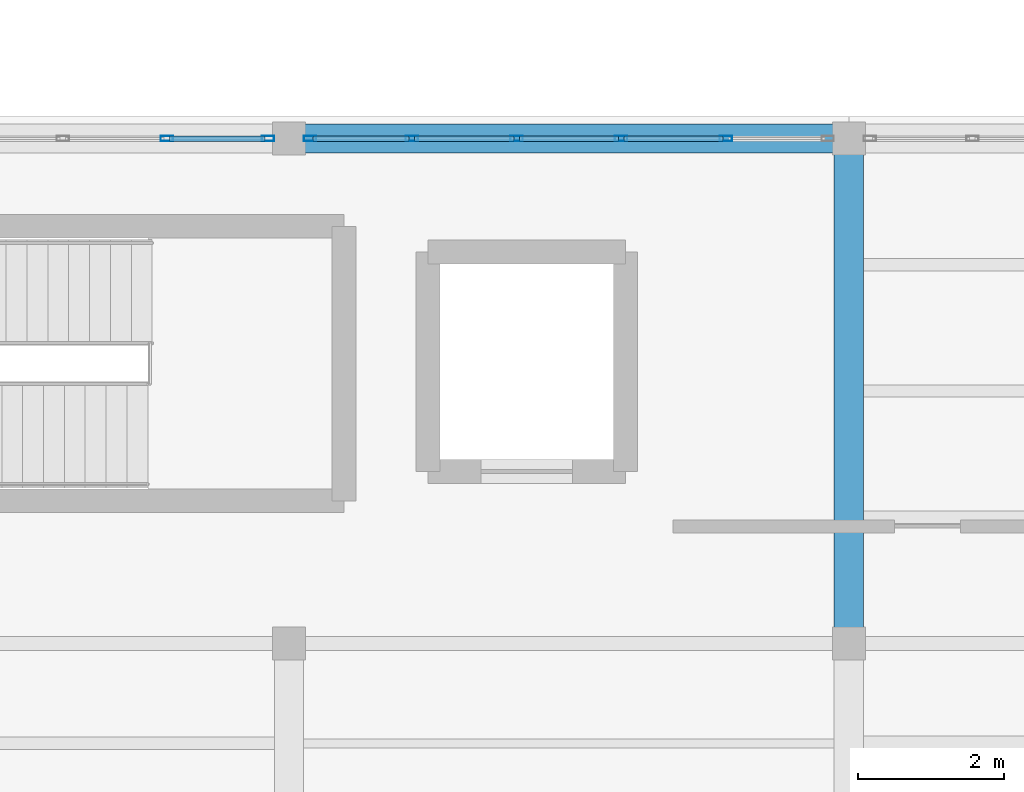
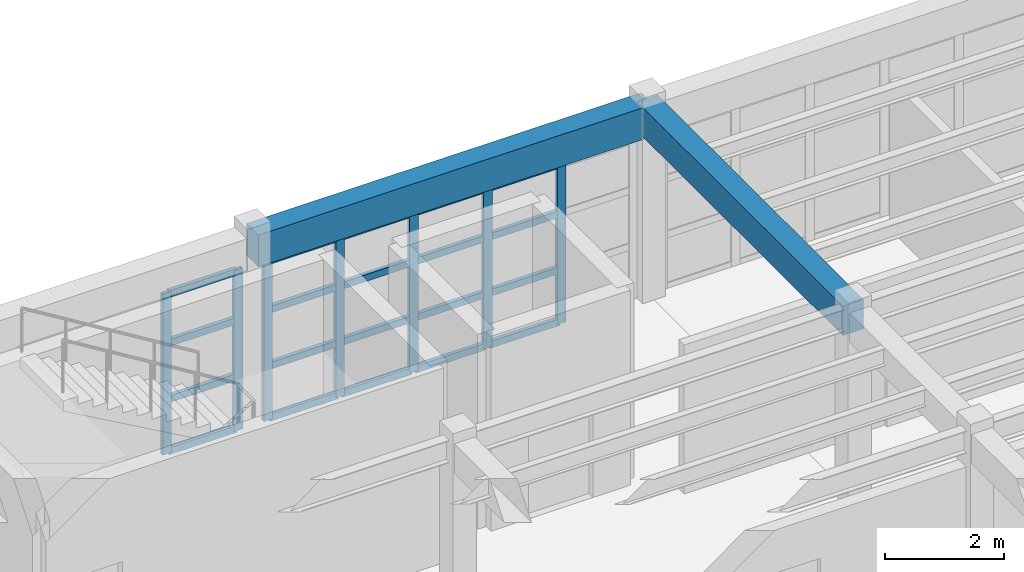
# One storey, part 12 of 66: 27 members, 2 beams, 2 elements without a shape of their own.
"""IFC4 building model written with IfcOpenShell, lengths in metres."""

import ifcopenshell
import ifcopenshell.guid

model = None  # the IFC model being written
_history = None  # IfcOwnerHistory: only IFC2X3 demands one
_inside = {}  # id of a spatial element -> (the spatial element, [elements in it])
_under = {}  # id of a project, library or spatial element -> (it, [spatial elements below it])
_declared = {}  # id of a project -> (the project, [libraries it declares])
_typed = {}  # id of a type object -> (the type object, [elements of that type])
_made_of = {}  # id of a material, layer set ... -> (it, [elements and type objects made of it])


def new_model(schema):
    """Start an empty IFC model of exactly this schema.

    Asked for "IFC4X3", IfcOpenShell would pick the latest addendum, in which some entities
    have other attributes; the version numbers below select the first issue.
    IFC2X3 requires an IfcOwnerHistory on every rooted entity: one is made here for all.
    """
    global model, _history
    if schema == "IFC4X3":
        model = ifcopenshell.file(schema_version=(4, 3, 0, 0))
    else:
        model = ifcopenshell.file(schema=schema)
    _inside.clear()
    _under.clear()
    _declared.clear()
    _typed.clear()
    _made_of.clear()
    _history = None
    if model.schema == "IFC2X3":
        org = make("IfcOrganization", Name="unknown")
        user = make(
            "IfcPersonAndOrganization",
            ThePerson=make("IfcPerson", FamilyName="unknown"),
            TheOrganization=org,
        )
        app = make(
            "IfcApplication",
            ApplicationDeveloper=org,
            Version="unknown",
            ApplicationFullName="unknown",
            ApplicationIdentifier="unknown",
        )
        _history = make(
            "IfcOwnerHistory",
            OwningUser=user,
            OwningApplication=app,
            ChangeAction="ADDED",
            CreationDate=0,
        )
    return model


def make(cls, **values):
    """One entity of the class cls with the attributes given. An attribute that is None is left unset."""
    return model.create_entity(
        cls, **{name: value for name, value in values.items() if value is not None}
    )


def rooted(cls, **values):
    """An entity with a GlobalId (a new one), such as an element, a storey or a relation."""
    return make(cls, GlobalId=ifcopenshell.guid.new(), OwnerHistory=_history, **values)


def si_unit(unit_type, name, prefix=None):
    """IfcSIUnit, for example si_unit("LENGTHUNIT", "METRE", prefix="MILLI")."""
    return make("IfcSIUnit", UnitType=unit_type, Prefix=prefix, Name=name)


def assignment(units):
    """IfcUnitAssignment: the units of a project."""
    return None if units is None else make("IfcUnitAssignment", Units=units)


def point(xyz):
    """IfcCartesianPoint."""
    return None if xyz is None else make("IfcCartesianPoint", Coordinates=xyz)


def direction(xyz):
    """IfcDirection."""
    return None if xyz is None else make("IfcDirection", DirectionRatios=xyz)


def frame(location, z_axis=None, x_axis=None):
    """IfcAxis2Placement3D, a coordinate frame: its origin and axes. An axis left out is left unset."""
    return make(
        "IfcAxis2Placement3D",
        Location=point(location),
        Axis=direction(z_axis),
        RefDirection=direction(x_axis),
    )


def frame_2d(location, x_axis=None):
    """IfcAxis2Placement2D, a coordinate frame in the plane: its origin and x axis."""
    return make(
        "IfcAxis2Placement2D", Location=point(location), RefDirection=direction(x_axis)
    )


def origin():
    """The frame at (0, 0, 0) with its axes left unset."""
    return frame((0.0, 0.0, 0.0))


def origin_2d():
    """The frame at (0, 0) in the plane with its x axis left unset."""
    return frame_2d((0.0, 0.0))


def place(relative_to, where):
    """IfcLocalPlacement: puts the frame where relative to a parent placement (None: the world)."""
    return make(
        "IfcLocalPlacement", PlacementRelTo=relative_to, RelativePlacement=where
    )


def context(
    kind, dimensions, precision=None, world=None, true_north=None, identifier=None
):
    """IfcGeometricRepresentationContext, for example the 3D "Model" context."""
    return make(
        "IfcGeometricRepresentationContext",
        ContextIdentifier=identifier,
        ContextType=kind,
        CoordinateSpaceDimension=dimensions,
        Precision=precision,
        WorldCoordinateSystem=world,
        TrueNorth=true_north,
    )


def subcontext(parent, identifier, kind, view, scale=None):
    """IfcGeometricRepresentationSubContext, for example "Body" below "Model"."""
    return make(
        "IfcGeometricRepresentationSubContext",
        ContextIdentifier=identifier,
        ContextType=kind,
        ParentContext=parent,
        TargetScale=scale,
        TargetView=view,
    )


def project(units=None, contexts=None):
    """IfcProject with its units and contexts."""
    return rooted(
        "IfcProject",
        Name="project",
        RepresentationContexts=contexts,
        UnitsInContext=assignment(units),
    )


def spatial(cls, under=None, at=None, **own):
    """A site, building, storey or space (cls), placed at a placement, below another one or the project."""
    s = rooted(cls, ObjectPlacement=at, **own)
    if under is not None:
        _under.setdefault(under.id(), (under, []))[1].append(s)
    return s


def profile(cls, at=None, kind="AREA", **sizes):
    """A parametric profile (cls). Its sizes go by their IFC names, for example OverallWidth=200.0."""
    return make(cls, ProfileType=kind, Position=at, **sizes)


def rectangle(**sizes):
    """IfcRectangleProfileDef."""
    return profile("IfcRectangleProfileDef", **sizes)


def hollow_rectangle(**sizes):
    """IfcRectangleHollowProfileDef."""
    return profile("IfcRectangleHollowProfileDef", **sizes)


def extrude(swept, where, along, depth):
    """IfcExtrudedAreaSolid: the profile swept, set in the frame where, extruded along a direction by depth."""
    return make(
        "IfcExtrudedAreaSolid",
        SweptArea=swept,
        Position=where,
        ExtrudedDirection=direction(along),
        Depth=depth,
    )


def shape(context_of_items, identifier, shape_type, items):
    """IfcShapeRepresentation: the items that make up one representation, for example the "Body"."""
    return make(
        "IfcShapeRepresentation",
        ContextOfItems=context_of_items,
        RepresentationIdentifier=identifier,
        RepresentationType=shape_type,
        Items=items,
    )


def material(Name=None, Category=None):
    """IfcMaterial."""
    return make("IfcMaterial", Name=Name, Category=Category)


def layer(
    of_material, thickness, ventilated=None, Name=None, Category=None, Priority=None
):
    """IfcMaterialLayer: one layer of a wall or slab, of a material (None: an air gap)."""
    return make(
        "IfcMaterialLayer",
        Material=of_material,
        LayerThickness=thickness,
        IsVentilated=ventilated,
        Name=Name,
        Category=Category,
        Priority=Priority,
    )


def layer_set(layers, Name=None):
    """IfcMaterialLayerSet."""
    return make("IfcMaterialLayerSet", MaterialLayers=layers, LayerSetName=Name)


def material_profile(
    of_material, cross_section, Name=None, Category=None, Priority=None
):
    """IfcMaterialProfile: a cross section and its material."""
    return make(
        "IfcMaterialProfile",
        Name=Name,
        Material=of_material,
        Profile=cross_section,
        Priority=Priority,
        Category=Category,
    )


def profile_set(profiles, Name=None, composite=None):
    """IfcMaterialProfileSet."""
    return make(
        "IfcMaterialProfileSet",
        Name=Name,
        MaterialProfiles=profiles,
        CompositeProfile=composite,
    )


def made_of(thing, what):
    """Note that an element or type object is made of a material, layer set ...; save() writes the relation."""
    if what is not None:
        _made_of.setdefault(what.id(), (what, []))[1].append(thing)
    return thing


def type_object(cls, material=None, **own):
    """A type object (cls), such as IfcWallType, which elements share."""
    return made_of(rooted(cls, **own), material)


def element(
    cls,
    number,
    at=None,
    inside=None,
    cuts=None,
    type_object=None,
    material=None,
    context=None,
    identifier="Body",
    shape_type=None,
    held_by="IfcProductDefinitionShape",
    body=None,
    shapes=None,
    **own,
):
    """One element of the class cls, such as IfcWall. Its Tag is "e" and its number.

    at: its placement. inside: the storey or other place that contains it. cuts: it is an
    opening in that element (IfcRelVoidsElement). A single representation is given by context,
    identifier, shape_type and body (its items); several are given by shapes. held_by: the class
    of the entity that holds the representations. save() writes the other relations.
    """
    e = rooted(cls, Tag="e%d" % number, ObjectPlacement=at, **own)
    if body is not None:
        shapes = [shape(context, identifier, shape_type, body)]
    if shapes is not None:
        e.Representation = make(held_by, Representations=shapes)
    if inside is not None:
        _inside.setdefault(inside.id(), (inside, []))[1].append(e)
    if cuts is not None:
        rooted(
            "IfcRelVoidsElement", RelatingBuildingElement=cuts, RelatedOpeningElement=e
        )
    if type_object is not None:
        _typed.setdefault(type_object.id(), (type_object, []))[1].append(e)
    return made_of(e, material)


def aggregate(whole, parts):
    """IfcRelAggregates: a whole, such as a stair, and the parts it consists of."""
    return rooted("IfcRelAggregates", RelatingObject=whole, RelatedObjects=parts)


def save(model, path):
    """Write the relations noted so far, then the file.

    IfcRelAggregates (storeys below a building ...), IfcRelContainedInSpatialStructure (elements
    in a storey), IfcRelDefinesByType, IfcRelAssociatesMaterial and IfcRelDeclares: one each for
    every whole, place, type object, material and project.
    """
    for whole, parts in _under.values():
        aggregate(whole, parts)
    for where, things in _inside.values():
        rooted(
            "IfcRelContainedInSpatialStructure",
            RelatedElements=things,
            RelatingStructure=where,
        )
    for kind, things in _typed.values():
        rooted("IfcRelDefinesByType", RelatedObjects=things, RelatingType=kind)
    for what, things in _made_of.values():
        rooted("IfcRelAssociatesMaterial", RelatedObjects=things, RelatingMaterial=what)
    for by, libraries in _declared.values():
        rooted("IfcRelDeclares", RelatingContext=by, RelatedDefinitions=libraries)
    model.write(path)


model = new_model("IFC4")

# Units and contexts
model_context = context("Model", 3, precision=1e-05, world=origin(), true_north=direction((0.0, 1.0)))
body_context = subcontext(model_context, "Body", "Model", "MODEL_VIEW")
ifc_project = project(units=[si_unit("LENGTHUNIT", "METRE"), si_unit("AREAUNIT", "SQUARE_METRE"), si_unit("VOLUMEUNIT", "CUBIC_METRE"), si_unit("PLANEANGLEUNIT", "RADIAN"), si_unit("MASSUNIT", "GRAM", prefix="KILO")], contexts=[model_context])

# Site, building, storey
site_placement = place(None, origin())
site = spatial("IfcSite", under=ifc_project, at=site_placement, CompositionType="ELEMENT")
building_placement = place(site_placement, origin())
building = spatial("IfcBuilding", under=site, at=building_placement, Name="Candilejo Ridge Gondola Terminal", CompositionType="ELEMENT")
storey_placement = place(building_placement, frame((0.0, 0.0, 14.39990234375)))
storey = spatial("IfcBuildingStorey", under=building, at=storey_placement, Name="L03", CompositionType="ELEMENT", Elevation=14.39990234375)

# Curtain wall, members
ifc_material_1 = material(Name="Anodised aluminium AA 6063-T6", Category="aluminium")
ifc_layer_1 = layer(ifc_material_1, 0.169921875)
ifc_layer_set_1 = layer_set([ifc_layer_1], Name="ARC-CW-GALLERY-3200-710X329")
curtain_wall_type_1 = type_object("IfcCurtainWallType", Name="ARC-CW-GALLERY-3200-710X329", PredefinedType="NOTDEFINED", material=ifc_layer_set_1)
curtain_wall_1_placement = place(storey_placement, origin())
curtain_wall_1 = element("IfcCurtainWall", 1, at=curtain_wall_1_placement, inside=storey, type_object=curtain_wall_type_1, Name="Curtain wall V3 L03-095", PredefinedType="NOTDEFINED")
ifc_material_2 = material(Name="Anodised aluminium AA 6063-T6", Category="aluminium")
ifc_material_profile_1 = material_profile(ifc_material_2, hollow_rectangle(XDim=0.074951171875, YDim=0.169921875, WallThickness=0.00390625, at=origin_2d()))
ifc_profile_set_1 = profile_set([ifc_material_profile_1], Name="Anodised aluminium AA 6063-T6")
member_type_1 = type_object("IfcMemberType", Name="ARC-CW-MULLION", PredefinedType="MULLION", material=ifc_profile_set_1)
member_1_placement = place(storey_placement, frame((100.530029296875, 36.699951171875, 0.0), z_axis=(0.0, 0.0, 1.0), x_axis=(0.0, 1.0, 0.0)))
member_1 = element("IfcMember", 2, at=member_1_placement, type_object=member_type_1, Name="CW-71X32 mullion 5", PredefinedType="MULLION", context=body_context, shape_type="SweptSolid", body=[
    extrude(hollow_rectangle(XDim=0.074951171875, YDim=0.169921875, WallThickness=0.00390625, at=origin_2d()), origin(), (0.0, 0.0, 1.0), 3.2900390625),
])
member_2_placement = place(storey_placement, frame((101.91259765625, 36.699951171875, 0.0), z_axis=(0.0, 0.0, 1.0), x_axis=(0.0, 1.0, 0.0)))
member_2 = element("IfcMember", 3, at=member_2_placement, type_object=member_type_1, Name="CW-71X32 mullion 6", PredefinedType="MULLION", context=body_context, shape_type="SweptSolid", body=[
    extrude(hollow_rectangle(XDim=0.074951171875, YDim=0.169921875, WallThickness=0.00390625, at=origin_2d()), origin(), (0.0, 0.0, 1.0), 3.2900390625),
])

ifc_material_3 = material(Name="Anodised aluminium AA 6063-T6", Category="aluminium")
ifc_layer_2 = layer(ifc_material_3, 0.169921875)
ifc_layer_set_2 = layer_set([ifc_layer_2], Name="ARC-CW-GALLERY-3200-715X329")
curtain_wall_type_2 = type_object("IfcCurtainWallType", Name="ARC-CW-GALLERY-3200-715X329", PredefinedType="NOTDEFINED", material=ifc_layer_set_2)
curtain_wall_2_placement = place(storey_placement, origin())
curtain_wall_2 = element("IfcCurtainWall", 4, at=curtain_wall_2_placement, inside=storey, type_object=curtain_wall_type_2, Name="Curtain wall V3 L03-096", PredefinedType="NOTDEFINED")
member_3_placement = place(storey_placement, frame((102.487548828125, 36.699951171875, 0.0), z_axis=(0.0, 0.0, 1.0), x_axis=(0.0, 1.0, 0.0)))
member_3 = element("IfcMember", 5, at=member_3_placement, type_object=member_type_1, Name="CW-71X32 mullion 1", PredefinedType="MULLION", context=body_context, shape_type="SweptSolid", body=[
    extrude(hollow_rectangle(XDim=0.074951171875, YDim=0.169921875, WallThickness=0.00390625, at=origin_2d()), origin(), (0.0, 0.0, 1.0), 3.2900390625),
])
member_4_placement = place(storey_placement, frame((103.8798828125, 36.699951171875, 0.0), z_axis=(0.0, 0.0, 1.0), x_axis=(0.0, 1.0, 0.0)))
member_4 = element("IfcMember", 6, at=member_4_placement, type_object=member_type_1, Name="CW-71X32 mullion 2", PredefinedType="MULLION", context=body_context, shape_type="SweptSolid", body=[
    extrude(hollow_rectangle(XDim=0.074951171875, YDim=0.169921875, WallThickness=0.00390625, at=origin_2d()), origin(), (0.0, 0.0, 1.0), 3.2900390625),
])
member_5_placement = place(storey_placement, frame((105.31005859375, 36.699951171875, 0.0), z_axis=(0.0, 0.0, 1.0), x_axis=(0.0, 1.0, 0.0)))
member_5 = element("IfcMember", 7, at=member_5_placement, type_object=member_type_1, Name="CW-71X32 mullion 3", PredefinedType="MULLION", context=body_context, shape_type="SweptSolid", body=[
    extrude(hollow_rectangle(XDim=0.074951171875, YDim=0.169921875, WallThickness=0.00390625, at=origin_2d()), origin(), (0.0, 0.0, 1.0), 3.2900390625),
])
member_6_placement = place(storey_placement, frame((106.739990234375, 36.699951171875, 0.0), z_axis=(0.0, 0.0, 1.0), x_axis=(0.0, 1.0, 0.0)))
member_6 = element("IfcMember", 8, at=member_6_placement, type_object=member_type_1, Name="CW-71X32 mullion 4", PredefinedType="MULLION", context=body_context, shape_type="SweptSolid", body=[
    extrude(hollow_rectangle(XDim=0.074951171875, YDim=0.169921875, WallThickness=0.00390625, at=origin_2d()), origin(), (0.0, 0.0, 1.0), 3.2900390625),
])
member_7_placement = place(storey_placement, frame((108.169921875, 36.699951171875, 0.0), z_axis=(0.0, 0.0, 1.0), x_axis=(0.0, 1.0, 0.0)))
member_7 = element("IfcMember", 9, at=member_7_placement, type_object=member_type_1, Name="CW-71X32 mullion 5", PredefinedType="MULLION", context=body_context, shape_type="SweptSolid", body=[
    extrude(hollow_rectangle(XDim=0.074951171875, YDim=0.169921875, WallThickness=0.00390625, at=origin_2d()), origin(), (0.0, 0.0, 1.0), 3.2900390625),
])

# Member
ifc_material_4 = material(Name="Anodised aluminium AA 6063-T6", Category="aluminium")
ifc_material_profile_2 = material_profile(ifc_material_4, hollow_rectangle(XDim=0.074951171875, YDim=0.139892578125, WallThickness=0.00390625, at=origin_2d()))
ifc_profile_set_2 = profile_set([ifc_material_profile_2], Name="Anodised aluminium AA 6063-T6")
member_type_2 = type_object("IfcMemberType", Name="ARC-CW-TRANSOM", PredefinedType="USERDEFINED", material=ifc_profile_set_2)
member_8_placement = place(storey_placement, frame((100.5673828125, 36.699951171875, 0.03759765625), z_axis=(1.0, 0.0, 0.0), x_axis=(0.0, 1.0, 0.0)))
member_8 = element("IfcMember", 10, at=member_8_placement, type_object=member_type_2, Name="CW-71X32 transom 5.1", ObjectType="TRANSOM", PredefinedType="USERDEFINED", context=body_context, shape_type="SweptSolid", body=[
    extrude(hollow_rectangle(XDim=0.074951171875, YDim=0.139892578125, WallThickness=0.00390625, at=origin_2d()), origin(), (0.0, 0.0, 1.0), 1.3076171875),
])

member_9_placement = place(storey_placement, frame((100.5673828125, 36.699951171875, 1.10009765625), z_axis=(1.0, 0.0, 0.0), x_axis=(0.0, 1.0, 0.0)))
member_9 = element("IfcMember", 11, at=member_9_placement, type_object=member_type_2, Name="CW-71X32 transom 5.2", ObjectType="TRANSOM", PredefinedType="USERDEFINED", context=body_context, shape_type="SweptSolid", body=[
    extrude(hollow_rectangle(XDim=0.074951171875, YDim=0.139892578125, WallThickness=0.00390625, at=origin_2d()), origin(), (0.0, 0.0, 1.0), 1.3076171875),
])

member_10_placement = place(storey_placement, frame((100.5673828125, 36.699951171875, 2.25), z_axis=(1.0, 0.0, 0.0), x_axis=(0.0, 1.0, 0.0)))
member_10 = element("IfcMember", 12, at=member_10_placement, type_object=member_type_2, Name="CW-71X32 transom 5.3", ObjectType="TRANSOM", PredefinedType="USERDEFINED", context=body_context, shape_type="SweptSolid", body=[
    extrude(hollow_rectangle(XDim=0.074951171875, YDim=0.139892578125, WallThickness=0.00390625, at=origin_2d()), origin(), (0.0, 0.0, 1.0), 1.3076171875),
])

member_11_placement = place(storey_placement, frame((100.5673828125, 36.699951171875, 3.252685546875), z_axis=(1.0, 0.0, 0.0), x_axis=(0.0, 1.0, 0.0)))
member_11 = element("IfcMember", 13, at=member_11_placement, type_object=member_type_2, Name="CW-71X32 transom 5.4", ObjectType="TRANSOM", PredefinedType="USERDEFINED", context=body_context, shape_type="SweptSolid", body=[
    extrude(hollow_rectangle(XDim=0.074951171875, YDim=0.139892578125, WallThickness=0.00390625, at=origin_2d()), origin(), (0.0, 0.0, 1.0), 1.3076171875),
])

aggregate(curtain_wall_1, [member_1, member_2, member_8, member_9, member_10, member_11])

member_12_placement = place(storey_placement, frame((102.52490234375, 36.699951171875, 0.03759765625), z_axis=(1.0, 0.0, 0.0), x_axis=(0.0, 1.0, 0.0)))
member_12 = element("IfcMember", 14, at=member_12_placement, type_object=member_type_2, Name="CW-71X32 transom 1.1", ObjectType="TRANSOM", PredefinedType="USERDEFINED", context=body_context, shape_type="SweptSolid", body=[
    extrude(hollow_rectangle(XDim=0.074951171875, YDim=0.139892578125, WallThickness=0.00390625, at=origin_2d()), origin(), (0.0, 0.0, 1.0), 1.317626953125),
])

member_13_placement = place(storey_placement, frame((102.52490234375, 36.699951171875, 1.10009765625), z_axis=(1.0, 0.0, 0.0), x_axis=(0.0, 1.0, 0.0)))
member_13 = element("IfcMember", 15, at=member_13_placement, type_object=member_type_2, Name="CW-71X32 transom 1.2", ObjectType="TRANSOM", PredefinedType="USERDEFINED", context=body_context, shape_type="SweptSolid", body=[
    extrude(hollow_rectangle(XDim=0.074951171875, YDim=0.139892578125, WallThickness=0.00390625, at=origin_2d()), origin(), (0.0, 0.0, 1.0), 1.317626953125),
])

member_14_placement = place(storey_placement, frame((102.52490234375, 36.699951171875, 2.25), z_axis=(1.0, 0.0, 0.0), x_axis=(0.0, 1.0, 0.0)))
member_14 = element("IfcMember", 16, at=member_14_placement, type_object=member_type_2, Name="CW-71X32 transom 1.3", ObjectType="TRANSOM", PredefinedType="USERDEFINED", context=body_context, shape_type="SweptSolid", body=[
    extrude(hollow_rectangle(XDim=0.074951171875, YDim=0.139892578125, WallThickness=0.00390625, at=origin_2d()), origin(), (0.0, 0.0, 1.0), 1.317626953125),
])

member_15_placement = place(storey_placement, frame((102.52490234375, 36.699951171875, 3.252685546875), z_axis=(1.0, 0.0, 0.0), x_axis=(0.0, 1.0, 0.0)))
member_15 = element("IfcMember", 17, at=member_15_placement, type_object=member_type_2, Name="CW-71X32 transom 1.4", ObjectType="TRANSOM", PredefinedType="USERDEFINED", context=body_context, shape_type="SweptSolid", body=[
    extrude(hollow_rectangle(XDim=0.074951171875, YDim=0.139892578125, WallThickness=0.00390625, at=origin_2d()), origin(), (0.0, 0.0, 1.0), 1.317626953125),
])

member_16_placement = place(storey_placement, frame((103.91748046875, 36.699951171875, 0.03759765625), z_axis=(1.0, 0.0, 0.0), x_axis=(0.0, 1.0, 0.0)))
member_16 = element("IfcMember", 18, at=member_16_placement, type_object=member_type_2, Name="CW-71X32 transom 2.1", ObjectType="TRANSOM", PredefinedType="USERDEFINED", context=body_context, shape_type="SweptSolid", body=[
    extrude(hollow_rectangle(XDim=0.074951171875, YDim=0.139892578125, WallThickness=0.00390625, at=origin_2d()), origin(), (0.0, 0.0, 1.0), 1.35498046875),
])

member_17_placement = place(storey_placement, frame((103.91748046875, 36.699951171875, 1.10009765625), z_axis=(1.0, 0.0, 0.0), x_axis=(0.0, 1.0, 0.0)))
member_17 = element("IfcMember", 19, at=member_17_placement, type_object=member_type_2, Name="CW-71X32 transom 2.2", ObjectType="TRANSOM", PredefinedType="USERDEFINED", context=body_context, shape_type="SweptSolid", body=[
    extrude(hollow_rectangle(XDim=0.074951171875, YDim=0.139892578125, WallThickness=0.00390625, at=origin_2d()), origin(), (0.0, 0.0, 1.0), 1.35498046875),
])

member_18_placement = place(storey_placement, frame((103.91748046875, 36.699951171875, 2.25), z_axis=(1.0, 0.0, 0.0), x_axis=(0.0, 1.0, 0.0)))
member_18 = element("IfcMember", 20, at=member_18_placement, type_object=member_type_2, Name="CW-71X32 transom 2.3", ObjectType="TRANSOM", PredefinedType="USERDEFINED", context=body_context, shape_type="SweptSolid", body=[
    extrude(hollow_rectangle(XDim=0.074951171875, YDim=0.139892578125, WallThickness=0.00390625, at=origin_2d()), origin(), (0.0, 0.0, 1.0), 1.35498046875),
])

member_19_placement = place(storey_placement, frame((103.91748046875, 36.699951171875, 3.252685546875), z_axis=(1.0, 0.0, 0.0), x_axis=(0.0, 1.0, 0.0)))
member_19 = element("IfcMember", 21, at=member_19_placement, type_object=member_type_2, Name="CW-71X32 transom 2.4", ObjectType="TRANSOM", PredefinedType="USERDEFINED", context=body_context, shape_type="SweptSolid", body=[
    extrude(hollow_rectangle(XDim=0.074951171875, YDim=0.139892578125, WallThickness=0.00390625, at=origin_2d()), origin(), (0.0, 0.0, 1.0), 1.35498046875),
])

member_20_placement = place(storey_placement, frame((105.347412109375, 36.699951171875, 0.03759765625), z_axis=(1.0, 0.0, 0.0), x_axis=(0.0, 1.0, 0.0)))
member_20 = element("IfcMember", 22, at=member_20_placement, type_object=member_type_2, Name="CW-71X32 transom 3.1", ObjectType="TRANSOM", PredefinedType="USERDEFINED", context=body_context, shape_type="SweptSolid", body=[
    extrude(hollow_rectangle(XDim=0.074951171875, YDim=0.139892578125, WallThickness=0.00390625, at=origin_2d()), origin(), (0.0, 0.0, 1.0), 1.35498046875),
])

member_21_placement = place(storey_placement, frame((105.347412109375, 36.699951171875, 1.10009765625), z_axis=(1.0, 0.0, 0.0), x_axis=(0.0, 1.0, 0.0)))
member_21 = element("IfcMember", 23, at=member_21_placement, type_object=member_type_2, Name="CW-71X32 transom 3.2", ObjectType="TRANSOM", PredefinedType="USERDEFINED", context=body_context, shape_type="SweptSolid", body=[
    extrude(hollow_rectangle(XDim=0.074951171875, YDim=0.139892578125, WallThickness=0.00390625, at=origin_2d()), origin(), (0.0, 0.0, 1.0), 1.35498046875),
])

member_22_placement = place(storey_placement, frame((105.347412109375, 36.699951171875, 2.25), z_axis=(1.0, 0.0, 0.0), x_axis=(0.0, 1.0, 0.0)))
member_22 = element("IfcMember", 24, at=member_22_placement, type_object=member_type_2, Name="CW-71X32 transom 3.3", ObjectType="TRANSOM", PredefinedType="USERDEFINED", context=body_context, shape_type="SweptSolid", body=[
    extrude(hollow_rectangle(XDim=0.074951171875, YDim=0.139892578125, WallThickness=0.00390625, at=origin_2d()), origin(), (0.0, 0.0, 1.0), 1.35498046875),
])

member_23_placement = place(storey_placement, frame((105.347412109375, 36.699951171875, 3.252685546875), z_axis=(1.0, 0.0, 0.0), x_axis=(0.0, 1.0, 0.0)))
member_23 = element("IfcMember", 25, at=member_23_placement, type_object=member_type_2, Name="CW-71X32 transom 3.4", ObjectType="TRANSOM", PredefinedType="USERDEFINED", context=body_context, shape_type="SweptSolid", body=[
    extrude(hollow_rectangle(XDim=0.074951171875, YDim=0.139892578125, WallThickness=0.00390625, at=origin_2d()), origin(), (0.0, 0.0, 1.0), 1.35498046875),
])

member_24_placement = place(storey_placement, frame((106.777587890625, 36.699951171875, 0.03759765625), z_axis=(1.0, 0.0, 0.0), x_axis=(0.0, 1.0, 0.0)))
member_24 = element("IfcMember", 26, at=member_24_placement, type_object=member_type_2, Name="CW-71X32 transom 4.1", ObjectType="TRANSOM", PredefinedType="USERDEFINED", context=body_context, shape_type="SweptSolid", body=[
    extrude(hollow_rectangle(XDim=0.074951171875, YDim=0.139892578125, WallThickness=0.00390625, at=origin_2d()), origin(), (0.0, 0.0, 1.0), 1.35498046875),
])

member_25_placement = place(storey_placement, frame((106.777587890625, 36.699951171875, 1.10009765625), z_axis=(1.0, 0.0, 0.0), x_axis=(0.0, 1.0, 0.0)))
member_25 = element("IfcMember", 27, at=member_25_placement, type_object=member_type_2, Name="CW-71X32 transom 4.2", ObjectType="TRANSOM", PredefinedType="USERDEFINED", context=body_context, shape_type="SweptSolid", body=[
    extrude(hollow_rectangle(XDim=0.074951171875, YDim=0.139892578125, WallThickness=0.00390625, at=origin_2d()), origin(), (0.0, 0.0, 1.0), 1.35498046875),
])

member_26_placement = place(storey_placement, frame((106.777587890625, 36.699951171875, 2.25), z_axis=(1.0, 0.0, 0.0), x_axis=(0.0, 1.0, 0.0)))
member_26 = element("IfcMember", 28, at=member_26_placement, type_object=member_type_2, Name="CW-71X32 transom 4.3", ObjectType="TRANSOM", PredefinedType="USERDEFINED", context=body_context, shape_type="SweptSolid", body=[
    extrude(hollow_rectangle(XDim=0.074951171875, YDim=0.139892578125, WallThickness=0.00390625, at=origin_2d()), origin(), (0.0, 0.0, 1.0), 1.35498046875),
])

member_27_placement = place(storey_placement, frame((106.777587890625, 36.699951171875, 3.252685546875), z_axis=(1.0, 0.0, 0.0), x_axis=(0.0, 1.0, 0.0)))
member_27 = element("IfcMember", 29, at=member_27_placement, type_object=member_type_2, Name="CW-71X32 transom 4.4", ObjectType="TRANSOM", PredefinedType="USERDEFINED", context=body_context, shape_type="SweptSolid", body=[
    extrude(hollow_rectangle(XDim=0.074951171875, YDim=0.139892578125, WallThickness=0.00390625, at=origin_2d()), origin(), (0.0, 0.0, 1.0), 1.35498046875),
])

aggregate(curtain_wall_2, [member_3, member_4, member_5, member_6, member_7, member_12, member_13, member_14, member_15, member_16, member_17, member_18, member_19, member_20, member_21, member_22, member_23, member_24, member_25, member_26, member_27])

# Beams
ifc_material_5 = material(Name="Concrete f'c 35 MPa (C35/45)", Category="concrete")
ifc_material_profile_3 = material_profile(ifc_material_5, rectangle(XDim=0.39990234375, YDim=0.60009765625, at=origin_2d()))
ifc_profile_set_3 = profile_set([ifc_material_profile_3], Name="Concrete f'c 35 MPa (C35/45)")
beam_type_1 = type_object("IfcBeamType", Name="STR-BM-RC400X600", PredefinedType="BEAM", material=ifc_profile_set_3)
beam_1_placement = place(storey_placement, frame((109.85009765625, 29.800048828125, 3.690185546875), z_axis=(0.0, 1.0, 0.0), x_axis=(-1.0, 0.0, 0.0)))
element("IfcBeam", 30, at=beam_1_placement, inside=storey, type_object=beam_type_1, Name="Beam Y V3 L03 Y06-Y07@X17", PredefinedType="BEAM", context=body_context, shape_type="SweptSolid", body=[
    extrude(rectangle(XDim=0.39990234375, YDim=0.60009765625, at=origin_2d()), origin(), (0.0, 0.0, 1.0), 6.89990234375),
])
ifc_material_6 = material(Name="Concrete f'c 35 MPa (C35/45)", Category="concrete")
ifc_material_profile_4 = material_profile(ifc_material_6, rectangle(XDim=0.39990234375, YDim=0.64990234375, at=origin_2d()))
ifc_profile_set_4 = profile_set([ifc_material_profile_4], Name="Concrete f'c 35 MPa (C35/45)")
beam_type_2 = type_object("IfcBeamType", Name="STR-SPN-RC400X650", PredefinedType="SPANDREL", material=ifc_profile_set_4)
beam_2_placement = place(storey_placement, frame((102.199951171875, 36.699951171875, 3.6650390625), z_axis=(1.0, 0.0, 0.0), x_axis=(0.0, 1.0, 0.0)))
element("IfcBeam", 31, at=beam_2_placement, inside=storey, type_object=beam_type_2, Name="Beam X V3 L03 X16-X17@Y07", PredefinedType="SPANDREL", context=body_context, shape_type="SweptSolid", body=[
    extrude(rectangle(XDim=0.39990234375, YDim=0.64990234375, at=origin_2d()), origin(), (0.0, 0.0, 1.0), 7.650146484375),
])

save(model, "model.ifc")
